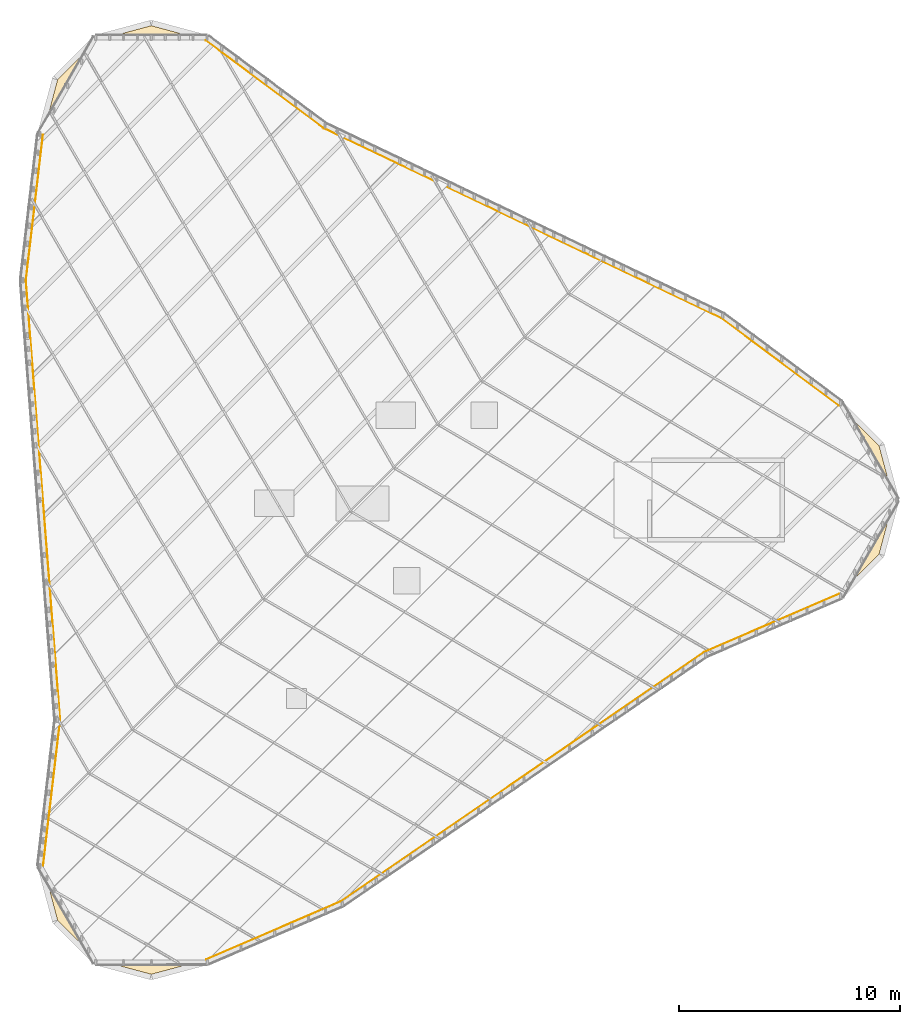
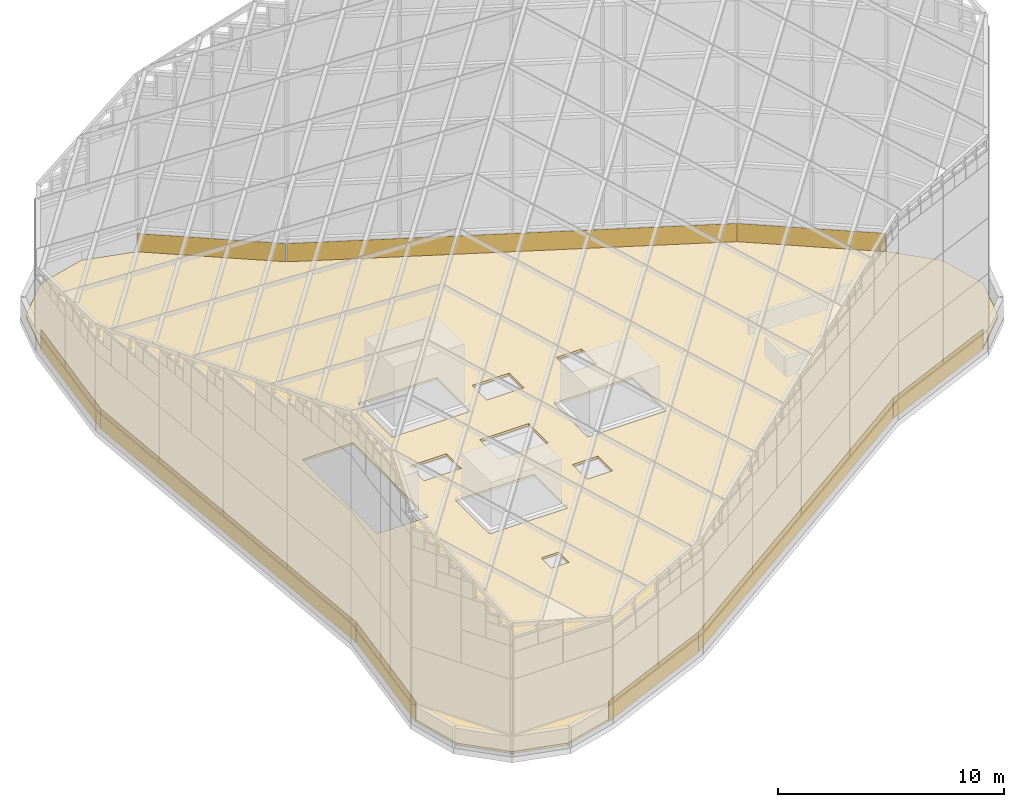
# One storey, part 27 of 29: 10 coverings.
"""IFC4 building model written with IfcOpenShell, lengths in metres."""

from ifc_helpers import new_model, si_unit, direction, frame, origin, origin_2d, place, context, subcontext, project, spatial, polyline, rectangle, outline, extrude, material, layer, layer_set, type_object, element, save


model = new_model("IFC4")

# Units and contexts
model_context = context("Model", 3, precision=1e-05, world=origin(), true_north=direction((0.0, 1.0)))
body_context = subcontext(model_context, "Body", "Model", "MODEL_VIEW")
ifc_project = project(units=[si_unit("LENGTHUNIT", "METRE"), si_unit("AREAUNIT", "SQUARE_METRE"), si_unit("VOLUMEUNIT", "CUBIC_METRE"), si_unit("PLANEANGLEUNIT", "RADIAN"), si_unit("MASSUNIT", "GRAM", prefix="KILO")], contexts=[model_context])

# Site, building, storey
site_placement = place(None, origin())
site = spatial("IfcSite", under=ifc_project, at=site_placement, CompositionType="ELEMENT")
building_placement = place(site_placement, origin())
building = spatial("IfcBuilding", under=site, at=building_placement, Name="Tanit Gate Tower", CompositionType="ELEMENT")
storey_placement = place(building_placement, frame((0.0, 0.0, 445.300048828125)))
storey = spatial("IfcBuildingStorey", under=building, at=storey_placement, Name="ROOF", CompositionType="ELEMENT", Elevation=445.300048828125)

# Coverings
ifc_material_1 = material(Name="Aluminium bronze anodised", Category="aluminium")
ifc_layer_1 = layer(ifc_material_1, 0.011962890625)
ifc_layer_set_1 = layer_set([ifc_layer_1], Name="Parapet cladding bronze 12")
covering_type_1 = type_object("IfcCoveringType", Name="Parapet cladding bronze 12", PredefinedType="CLADDING", material=ifc_layer_set_1)
covering_1_placement = place(storey_placement, frame((18.5419921875, -5.562744140625, 0.0), z_axis=(0.0, 0.0, 1.0), x_axis=(-0.918305927051, -0.395871474525, 0.0)))
element("IfcCovering", 1, at=covering_1_placement, inside=storey, type_object=covering_type_1, Name="Parapet cladding 5", PredefinedType="CLADDING", context=body_context, shape_type="SweptSolid", body=[
    extrude(rectangle(XDim=6.632568359375, YDim=0.011962890625, at=origin_2d()), origin(), (0.0, 0.0, 1.0), 1.10009765625),
])
covering_2_placement = place(storey_placement, frame((7.232177734375, -12.5419921875, 0.0), z_axis=(0.0, 0.0, 1.0), x_axis=(-0.824478578624, -0.56589316429, 0.0)))
element("IfcCovering", 2, at=covering_2_placement, inside=storey, type_object=covering_type_1, Name="Parapet cladding 6", PredefinedType="CLADDING", context=body_context, shape_type="SweptSolid", body=[
    extrude(rectangle(XDim=19.94189453125, YDim=0.011962890625, at=origin_2d()), origin(), (0.0, 0.0, 1.0), 1.10009765625),
])
covering_3_placement = place(storey_placement, frame((-4.035400390625, -19.497802734375, 0.0), z_axis=(0.0, 0.0, 1.0), x_axis=(-0.918305927051, -0.395871474525, 0.0)))
element("IfcCovering", 3, at=covering_3_placement, inside=storey, type_object=covering_type_1, Name="Parapet cladding 7", PredefinedType="CLADDING", context=body_context, shape_type="SweptSolid", body=[
    extrude(rectangle(XDim=6.637939453125, YDim=0.011962890625, at=origin_2d()), origin(), (0.0, 0.0, 1.0), 1.10009765625),
])
covering_4_placement = place(storey_placement, frame((-14.08837890625, -13.2763671875, 0.0), z_axis=(0.0, 0.0, 1.0), x_axis=(0.116318209953, 0.993211998535, 0.0)))
element("IfcCovering", 4, at=covering_4_placement, inside=storey, type_object=covering_type_1, Name="Parapet cladding 12", PredefinedType="CLADDING", context=body_context, shape_type="SweptSolid", body=[
    extrude(rectangle(XDim=6.632568359375, YDim=0.011962890625, at=origin_2d()), origin(), (0.0, 0.0, 1.0), 1.10009765625),
])
covering_5_placement = place(storey_placement, frame((-14.477783203125, 0.0078125, 0.0), z_axis=(0.0, 0.0, 1.0), x_axis=(-0.077838566791, 0.996965976109, 0.0)))
element("IfcCovering", 5, at=covering_5_placement, inside=storey, type_object=covering_type_1, Name="Parapet cladding 13", PredefinedType="CLADDING", context=body_context, shape_type="SweptSolid", body=[
    extrude(rectangle(XDim=19.94189453125, YDim=0.011962890625, at=origin_2d()), origin(), (0.0, 0.0, 1.0), 1.10009765625),
])
covering_6_placement = place(storey_placement, frame((-14.867919921875, 13.24365234375, 0.0), z_axis=(0.0, 0.0, 1.0), x_axis=(0.116318209953, 0.993211998535, 0.0)))
element("IfcCovering", 6, at=covering_6_placement, inside=storey, type_object=covering_type_1, Name="Parapet cladding 14", PredefinedType="CLADDING", context=body_context, shape_type="SweptSolid", body=[
    extrude(rectangle(XDim=6.637939453125, YDim=0.011962890625, at=origin_2d()), origin(), (0.0, 0.0, 1.0), 1.10009765625),
])
covering_7_placement = place(storey_placement, frame((-4.45361328125, 18.839111328125, 0.0), z_axis=(0.0, 0.0, 1.0), x_axis=(0.801987717098, -0.59734052401, 0.0)))
element("IfcCovering", 7, at=covering_7_placement, inside=storey, type_object=covering_type_1, Name="Parapet cladding 19", PredefinedType="CLADDING", context=body_context, shape_type="SweptSolid", body=[
    extrude(rectangle(XDim=6.632568359375, YDim=0.011962890625, at=origin_2d()), origin(), (0.0, 0.0, 1.0), 1.10009765625),
])
covering_8_placement = place(storey_placement, frame((7.24560546875, 12.5341796875, 0.0), z_axis=(0.0, 0.0, 1.0), x_axis=(0.902317145415, -0.431072811819, 0.0)))
element("IfcCovering", 8, at=covering_8_placement, inside=storey, type_object=covering_type_1, Name="Parapet cladding 20", PredefinedType="CLADDING", context=body_context, shape_type="SweptSolid", body=[
    extrude(rectangle(XDim=19.94189453125, YDim=0.011962890625, at=origin_2d()), origin(), (0.0, 0.0, 1.0), 1.10009765625),
])
covering_9_placement = place(storey_placement, frame((18.9033203125, 6.254150390625, 0.0), z_axis=(0.0, 0.0, 1.0), x_axis=(0.801987717098, -0.59734052401, 0.0)))
element("IfcCovering", 9, at=covering_9_placement, inside=storey, type_object=covering_type_1, Name="Parapet cladding 21", PredefinedType="CLADDING", context=body_context, shape_type="SweptSolid", body=[
    extrude(rectangle(XDim=6.637939453125, YDim=0.011962890625, at=origin_2d()), origin(), (0.0, 0.0, 1.0), 1.10009765625),
])
ifc_material_2 = material(Name="Bitumen membrane roofing")
ifc_layer_2 = layer(ifc_material_2, 0.1201171875)
ifc_layer_set_2 = layer_set([ifc_layer_2], Name="Roofing membrane on insulation")
covering_type_2 = type_object("IfcCoveringType", Name="Roofing membrane on insulation", PredefinedType="ROOFING", material=ifc_layer_set_2)
covering_10_placement = place(storey_placement, origin())
element("IfcCovering", 10, at=covering_10_placement, inside=storey, type_object=covering_type_2, Name="Roof covering", PredefinedType="ROOFING", context=body_context, shape_type="SweptSolid", body=[
    extrude(outline(polyline([(21.568603515625, 4.2763671875), (23.39599609375, 2.448974609375), (24.05224609375, 0.0), (23.39599609375, -2.448974609375), (21.589599609375, -4.25537109375), (15.4765625, -6.890625), (-0.985107421875, -18.189453125), (-7.080810546875, -20.817138671875), (-9.5771484375, -21.486083984375), (-12.026123046875, -20.829833984375), (-13.81884765625, -19.037109375), (-14.480224609375, -16.569580078125), (-13.705810546875, -9.957763671875), (-15.260009765625, 9.947998046875), (-14.48779296875, 16.540771484375), (-13.81884765625, 19.037109375), (-12.026123046875, 20.829833984375), (-9.5771484375, 21.486083984375), (-7.109619140625, 20.824951171875), (-1.770751953125, 16.848388671875), (16.2451171875, 8.241455078125), (21.568603515625, 4.2763671875)]), holes=[polyline([(3.0, -1.5), (7.0, -1.5), (7.0, 1.5), (3.0, 1.5), (3.0, -1.5)]), polyline([(-4.5, 2.800048828125), (-0.5, 2.800048828125), (-0.5, 5.800048828125), (-4.5, 5.800048828125), (-4.5, 2.800048828125)]), polyline([(-4.5, -5.800048828125), (-0.5, -5.800048828125), (-0.5, -2.800048828125), (-4.5, -2.800048828125), (-4.5, -5.800048828125)]), polyline([(-8.800048828125, -3.300048828125), (-6.199951171875, -3.300048828125), (-6.199951171875, 3.300048828125), (-8.800048828125, 3.300048828125), (-8.800048828125, -3.300048828125)]), polyline([(-1.249755859375, -1.006591796875), (1.250244140625, -1.006591796875), (1.250244140625, 0.693359375), (-1.249755859375, 0.693359375), (-1.249755859375, -1.006591796875)]), polyline([(-4.94970703125, -0.806640625), (-3.049560546875, -0.806640625), (-3.049560546875, 0.493408203125), (-4.94970703125, 0.493408203125), (-4.94970703125, -0.806640625)]), polyline([(0.55029296875, 3.193359375), (2.450439453125, 3.193359375), (2.450439453125, 4.493408203125), (0.55029296875, 4.493408203125), (0.55029296875, 3.193359375)]), polyline([(1.350341796875, -4.306640625), (2.650390625, -4.306640625), (2.650390625, -3.006591796875), (1.350341796875, -3.006591796875), (1.350341796875, -4.306640625)]), polyline([(4.850341796875, 3.193359375), (6.150390625, 3.193359375), (6.150390625, 4.493408203125), (4.850341796875, 4.493408203125), (4.850341796875, 3.193359375)]), polyline([(-3.449951171875, -9.449951171875), (-2.550048828125, -9.449951171875), (-2.550048828125, -8.550048828125), (-3.449951171875, -8.550048828125), (-3.449951171875, -9.449951171875)])]), origin(), (0.0, 0.0, 1.0), 0.119873046875),
])

save(model, "model.ifc")
